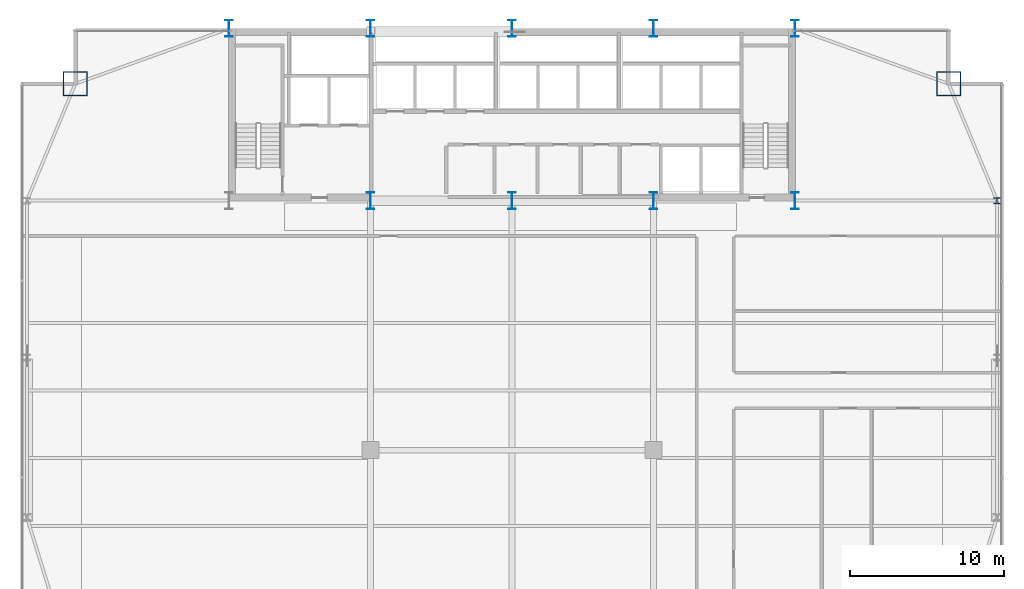
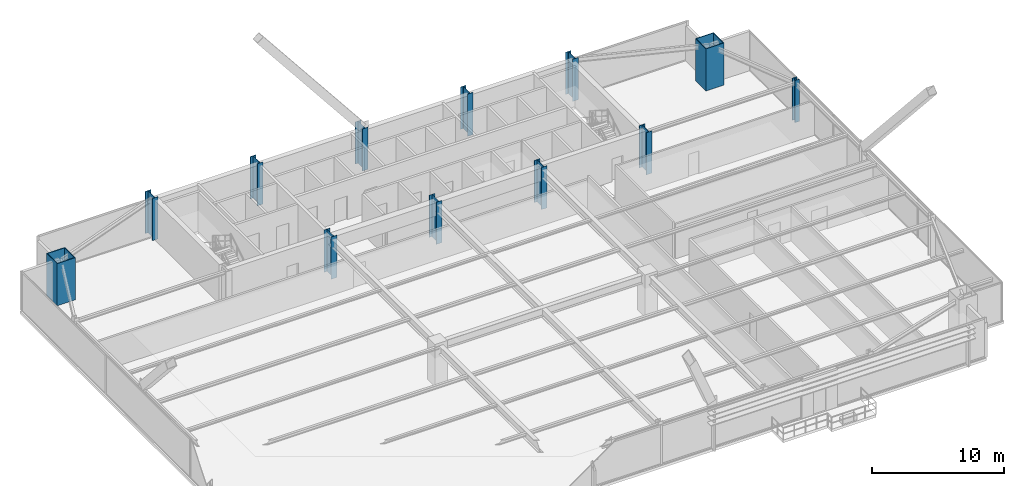
# One storey, part 2 of 35: 12 columns.
"""IFC4 building model written with IfcOpenShell, lengths in metres."""

from ifc_helpers import new_model, si_unit, direction, frame, origin, origin_2d, place, context, subcontext, project, spatial, hollow_rectangle, i_section, extrude, source, transform, mapped, material, material_profile, profile_set, type_object, type_shapes, element, save


model = new_model("IFC4")

# Units and contexts
model_context = context("Model", 3, precision=1e-05, world=origin(), true_north=direction((0.0, 1.0)))
body_context = subcontext(model_context, "Body", "Model", "MODEL_VIEW")
ifc_project = project(units=[si_unit("LENGTHUNIT", "METRE"), si_unit("AREAUNIT", "SQUARE_METRE"), si_unit("VOLUMEUNIT", "CUBIC_METRE"), si_unit("PLANEANGLEUNIT", "RADIAN"), si_unit("MASSUNIT", "GRAM", prefix="KILO")], contexts=[model_context])

# Site, building, storey
site_placement = place(None, origin())
site = spatial("IfcSite", under=ifc_project, at=site_placement, CompositionType="ELEMENT")
building_placement = place(site_placement, origin())
building = spatial("IfcBuilding", under=site, at=building_placement, Name="Varnel Quay Broadcast Tower", CompositionType="ELEMENT")
storey_placement = place(building_placement, frame((0.0, 0.0, 66.60009765625)))
storey = spatial("IfcBuildingStorey", under=building, at=storey_placement, Name="L15", CompositionType="ELEMENT", Elevation=66.60009765625)

# Columns
ifc_material_1 = material(Name="Structural Steel CSA G40.21 350WT", Category="steel")
ifc_material_profile_1 = material_profile(ifc_material_1, i_section(OverallWidth=0.5, OverallDepth=1.10009765625, WebThickness=0.01806640625, FlangeThickness=0.031982421875, FilletRadius=0.01806640625, at=origin_2d()), Name="WWF1100X418")
ifc_profile_set_1 = profile_set([ifc_material_profile_1], Name="Structural Steel CSA G40.21 350WT")
column_type_1 = type_object("IfcColumnType", Name="Col_WWF1100X418", PredefinedType="COLUMN", material=ifc_profile_set_1)
shared_shape_1 = source(origin(), body_context, "Body", "SweptSolid", [
    extrude(i_section(OverallWidth=0.5, OverallDepth=1.10009765625, WebThickness=0.01806640625, FlangeThickness=0.031982421875, FilletRadius=0.01806640625, at=origin_2d()), origin(), (0.0, 0.0, 1.0), 3.89990234375),
])
type_shapes(column_type_1, [shared_shape_1])
for number, where, z_axis, x_axis, name in (
    (1, (15.60009765625, 46.800048828125, 0.0), (0.0, 0.0, 1.0), (1.0, 0.0, 0.0), "L15 Column CC-N1"),
    (2, (24.800048828125, 35.60009765625, 0.0), (0.0, 0.0, 1.0), (1.0, 0.0, 0.0), "L15 Column CC-S2"),
    (3, (24.800048828125, 46.800048828125, 0.0), (0.0, 0.0, 1.0), (1.0, 0.0, 0.0), "L15 Column CC-N2"),
    (4, (34.0, 35.60009765625, 0.0), (0.0, 0.0, 1.0), (1.0, 0.0, 0.0), "L15 Column CC-S3"),
    (5, (34.0, 46.800048828125, 0.0), (0.0, 0.0, 1.0), (1.0, 0.0, 0.0), "L15 Column CC-N3"),
    (6, (43.199951171875, 35.60009765625, 0.0), (0.0, 0.0, 1.0), (1.0, 0.0, 0.0), "L15 Column CC-S4"),
    (7, (43.199951171875, 46.800048828125, 0.0), (0.0, 0.0, 1.0), (1.0, 0.0, 0.0), "L15 Column CC-N4"),
    (8, (52.39990234375, 35.60009765625, 0.0), (0.0, 0.0, 1.0), (1.0, 0.0, 0.0), "L15 Column CC-S5"),
    (9, (52.39990234375, 46.800048828125, 0.0), (0.0, 0.0, 1.0), (1.0, 0.0, 0.0), "L15 Column CC-N5"),
):
    element("IfcColumn", number, at=place(storey_placement, frame(where, z_axis=z_axis, x_axis=x_axis)), inside=storey, type_object=column_type_1, Name=name, PredefinedType="COLUMN", context=body_context, shape_type="MappedRepresentation", body=[
        mapped(shared_shape_1, transform((0.0, 0.0, 0.0), x_axis=(1.0, 0.0, 0.0), y_axis=(0.0, 1.0, 0.0), z_axis=(0.0, 0.0, 1.0), scale=1.0)),
    ])
ifc_material_profile_2 = material_profile(ifc_material_1, hollow_rectangle(XDim=1.60009765625, YDim=1.60009765625, WallThickness=0.06005859375, at=origin_2d()), Name="BOX1600X1600X60")
ifc_profile_set_2 = profile_set([ifc_material_profile_2], Name="Structural Steel CSA G40.21 350WT")
column_type_2 = type_object("IfcColumnType", Name="Col_BOX1600X1600X60", PredefinedType="COLUMN", material=ifc_profile_set_2)
shared_shape_2 = source(origin(), body_context, "Body", "SweptSolid", [
    extrude(hollow_rectangle(XDim=1.60009765625, YDim=1.60009765625, WallThickness=0.06005859375, at=origin_2d()), origin(), (0.0, 0.0, 1.0), 3.89990234375),
])
type_shapes(column_type_2, [shared_shape_2])
for number, where, z_axis, x_axis, name in (
    (10, (62.39990234375, 43.199951171875, 0.0), (0.0, 0.0, 1.0), (1.0, 0.0, 0.0), "L15 Column MC-NE"),
    (11, (5.60009765625, 43.199951171875, 0.0), (0.0, 0.0, 1.0), (1.0, 0.0, 0.0), "L15 Column MC-NW"),
):
    element("IfcColumn", number, at=place(storey_placement, frame(where, z_axis=z_axis, x_axis=x_axis)), inside=storey, type_object=column_type_2, Name=name, PredefinedType="COLUMN", context=body_context, shape_type="MappedRepresentation", body=[
        mapped(shared_shape_2, transform((0.0, 0.0, 0.0), x_axis=(1.0, 0.0, 0.0), y_axis=(0.0, 1.0, 0.0), z_axis=(0.0, 0.0, 1.0), scale=1.0)),
    ])
ifc_material_2 = material(Name="Structural Steel CSA G40.21 350W", Category="steel")
ifc_material_profile_3 = material_profile(ifc_material_2, i_section(OverallWidth=0.404052734375, OverallDepth=0.406982421875, WebThickness=0.027099609375, FlangeThickness=0.043701171875, FilletRadius=0.01806640625, at=origin_2d()), Name="W360X347")
ifc_profile_set_3 = profile_set([ifc_material_profile_3], Name="Structural Steel CSA G40.21 350W")
column_type_3 = type_object("IfcColumnType", Name="Col_W360X347", PredefinedType="COLUMN", material=ifc_profile_set_3)
shared_shape_3 = source(origin(), body_context, "Body", "SweptSolid", [
    extrude(i_section(OverallWidth=0.404052734375, OverallDepth=0.406982421875, WebThickness=0.027099609375, FlangeThickness=0.043701171875, FilletRadius=0.01806640625, at=origin_2d()), origin(), (0.0, 0.0, 1.0), 3.89990234375),
])
type_shapes(column_type_3, [shared_shape_3])
column_placement = place(storey_placement, frame((65.550048828125, 35.60009765625, 0.0), z_axis=(0.0, 0.0, 1.0), x_axis=(1.0, 0.0, 0.0)))
element("IfcColumn", 12, at=column_placement, inside=storey, type_object=column_type_3, Name="L15 Column TC-E3", PredefinedType="COLUMN", context=body_context, shape_type="MappedRepresentation", body=[
    mapped(shared_shape_3, transform((0.0, 0.0, 0.0), x_axis=(1.0, 0.0, 0.0), y_axis=(0.0, 1.0, 0.0), z_axis=(0.0, 0.0, 1.0), scale=1.0)),
])

save(model, "model.ifc")
